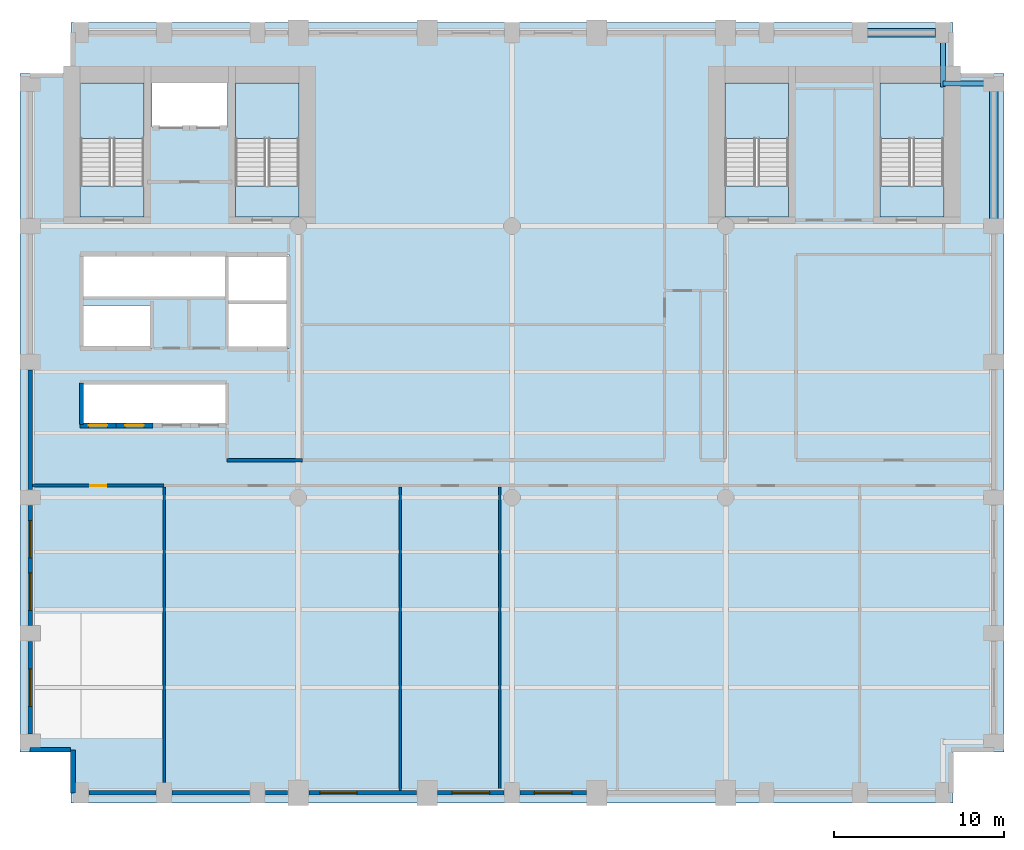
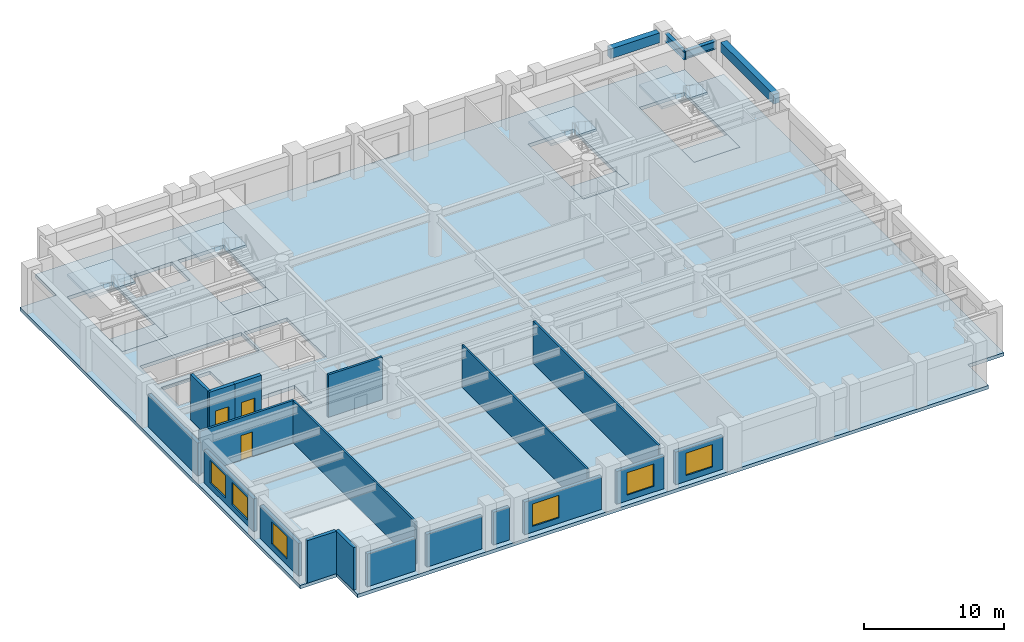
# One storey, part 2 of 9: 19 walls, 9 slabs, 6 windows, 4 beams, 3 doors, 9 openings, 4 elements without a shape of their own.
"""IFC4 building model written with IfcOpenShell, lengths in metres."""

from ifc_helpers import new_model, si_unit, direction, frame, frame_2d, origin, origin_2d, place, context, subcontext, project, spatial, polyline, rectangle, i_section, outline, extrude, material, layer, layer_set, material_profile, profile_set, type_object, element, fill, aggregate, save


model = new_model("IFC4")

# Units and contexts
model_context = context("Model", 3, precision=1e-05, world=origin(), true_north=direction((0.0, 1.0)))
body_context = subcontext(model_context, "Body", "Model", "MODEL_VIEW")
ifc_project = project(units=[si_unit("LENGTHUNIT", "METRE"), si_unit("AREAUNIT", "SQUARE_METRE"), si_unit("VOLUMEUNIT", "CUBIC_METRE"), si_unit("PLANEANGLEUNIT", "RADIAN"), si_unit("MASSUNIT", "GRAM", prefix="KILO")], contexts=[model_context])

# Site, building, storey
site_placement = place(None, origin())
site = spatial("IfcSite", under=ifc_project, at=site_placement, CompositionType="ELEMENT")
building_placement = place(site_placement, origin())
building = spatial("IfcBuilding", under=site, at=building_placement, Name="Sulina Concourse Tower", CompositionType="ELEMENT")
storey_placement = place(building_placement, frame((0.0, 0.0, 66.60009765625)))
storey = spatial("IfcBuildingStorey", under=building, at=storey_placement, Name="L16", CompositionType="ELEMENT", Elevation=66.60009765625)

# Beams
ifc_material_1 = material(Name="Steel S355", Category="steel")
ifc_material_profile_1 = material_profile(ifc_material_1, i_section(OverallWidth=0.300048828125, OverallDepth=0.699951171875, WebThickness=0.01708984375, FlangeThickness=0.031982421875, at=origin_2d()), Name="HE 700 B")
ifc_profile_set_1 = profile_set([ifc_material_profile_1], Name="Steel S355")
beam_type_1 = type_object("IfcBeamType", Name="Floor Primary Girder Zone 1 HE700B", PredefinedType="BEAM", material=ifc_profile_set_1)
beam_1_placement = place(storey_placement, frame((54.39990234375, 42.39990234375, 3.349853515625), z_axis=(1.0, 0.0, 0.0), x_axis=(0.0, 1.0, 0.0)))
element("IfcBeam", 1, at=beam_1_placement, inside=storey, type_object=beam_type_1, Name="TIE-NE-L16", PredefinedType="BEAM", context=body_context, shape_type="SweptSolid", body=[
    extrude(i_section(OverallWidth=0.300048828125, OverallDepth=0.699951171875, WebThickness=0.01708984375, FlangeThickness=0.031982421875, at=origin_2d()), origin(), (0.0, 0.0, 1.0), 2.570068359375),
])
beam_2_placement = place(storey_placement, frame((54.39990234375, 42.199951171875, 3.349853515625), z_axis=(0.0, 1.0, 0.0), x_axis=(-1.0, 0.0, 0.0)))
element("IfcBeam", 2, at=beam_2_placement, inside=storey, type_object=beam_type_1, Name="TIE-NEN-L16", PredefinedType="BEAM", context=body_context, shape_type="SweptSolid", body=[
    extrude(i_section(OverallWidth=0.300048828125, OverallDepth=0.699951171875, WebThickness=0.01708984375, FlangeThickness=0.031982421875, at=origin_2d()), origin(), (0.0, 0.0, 1.0), 2.77001953125),
])
ifc_material_2 = material(Name="Precast concrete C50/60", Category="concrete")
ifc_material_profile_2 = material_profile(ifc_material_2, rectangle(XDim=0.5, YDim=0.85009765625, at=origin_2d()), Name="RC 500x850")
ifc_profile_set_2 = profile_set([ifc_material_profile_2], Name="Precast concrete C50/60")
beam_type_2 = type_object("IfcBeamType", Name="Lower Precast Spandrel Edge Beam 500x850", PredefinedType="BEAM", material=ifc_profile_set_2)
beam_3_placement = place(storey_placement, frame((49.929931640625, 45.39990234375, 3.27490234375), z_axis=(1.0, 0.0, 0.0), x_axis=(0.0, 1.0, 0.0)))
element("IfcBeam", 3, at=beam_3_placement, inside=storey, type_object=beam_type_2, Name="SP-N10-L16", PredefinedType="BEAM", context=body_context, shape_type="SweptSolid", body=[
    extrude(rectangle(XDim=0.5, YDim=0.85009765625, at=origin_2d()), origin(), (0.0, 0.0, 1.0), 4.0400390625),
])
beam_4_placement = place(storey_placement, frame((57.39990234375, 34.429931640625, 3.27490234375), z_axis=(0.0, 1.0, 0.0), x_axis=(-1.0, 0.0, 0.0)))
element("IfcBeam", 4, at=beam_4_placement, inside=storey, type_object=beam_type_2, Name="SP-E5-L16", PredefinedType="BEAM", context=body_context, shape_type="SweptSolid", body=[
    extrude(rectangle(XDim=0.5, YDim=0.85009765625, at=origin_2d()), origin(), (0.0, 0.0, 1.0), 7.5400390625),
])

# Slabs
ifc_material_3 = material(Name="Concrete C50/60", Category="concrete")
ifc_layer_1 = layer(ifc_material_3, 0.300048828125)
ifc_layer_set_1 = layer_set([ifc_layer_1], Name="Concrete C50/60")
slab_type_1 = type_object("IfcSlabType", Name="Low-Rise Composite Floor Slab 300mm", PredefinedType="FLOOR", material=ifc_layer_set_1)
slab_1_placement = place(storey_placement, frame((0.0, 0.0, -0.300048828125)))
element("IfcSlab", 5, at=slab_1_placement, inside=storey, type_object=slab_type_1, Name="L16 structural floor slab", PredefinedType="FLOOR", context=body_context, shape_type="SweptSolid", body=[
    extrude(outline(polyline([(3.0, 0.0), (55.0, 0.0), (55.0, 3.0), (58.0, 3.0), (58.0, 43.0), (55.0, 43.0), (55.0, 46.0), (3.0, 46.0), (3.0, 43.0), (0.0, 43.0), (0.0, 3.0), (3.0, 3.0), (3.0, 0.0)]), holes=[polyline([(7.31005859375, 34.550048828125), (7.31005859375, 42.429931640625), (3.550048828125, 42.429931640625), (3.550048828125, 34.550048828125), (7.31005859375, 34.550048828125)]), polyline([(16.449951171875, 34.550048828125), (16.449951171875, 42.429931640625), (12.68994140625, 42.429931640625), (12.68994140625, 34.550048828125), (16.449951171875, 34.550048828125)]), polyline([(45.31005859375, 34.550048828125), (45.31005859375, 42.429931640625), (41.550048828125, 42.429931640625), (41.550048828125, 34.550048828125), (45.31005859375, 34.550048828125)]), polyline([(54.449951171875, 34.550048828125), (54.449951171875, 42.429931640625), (50.68994140625, 42.429931640625), (50.68994140625, 34.550048828125), (54.449951171875, 34.550048828125)]), polyline([(7.780029296875, 39.830078125), (12.219970703125, 39.830078125), (12.219970703125, 42.449951171875), (7.780029296875, 42.449951171875), (7.780029296875, 39.830078125)]), polyline([(3.739990234375, 26.780029296875), (7.77001953125, 26.780029296875), (7.77001953125, 29.320068359375), (3.739990234375, 29.320068359375), (3.739990234375, 26.780029296875)]), polyline([(3.739990234375, 29.780029296875), (12.10009765625, 29.780029296875), (12.10009765625, 32.3701171875), (3.739990234375, 32.3701171875), (3.739990234375, 29.780029296875)]), polyline([(3.739990234375, 22.280029296875), (12.10009765625, 22.280029296875), (12.10009765625, 24.77001953125), (3.739990234375, 24.77001953125), (3.739990234375, 22.280029296875)]), polyline([(12.280029296875, 26.780029296875), (15.85009765625, 26.780029296875), (15.85009765625, 32.320068359375), (12.280029296875, 32.320068359375), (12.280029296875, 26.780029296875)])]), origin(), (0.0, 0.0, 1.0), 0.300048828125),
])
ifc_material_4 = material(Name="Concrete C50/60", Category="concrete")
ifc_layer_2 = layer(ifc_material_4, 0.199951171875)
ifc_layer_set_2 = layer_set([ifc_layer_2], Name="Concrete C50/60")
slab_type_2 = type_object("IfcSlabType", Name="Primary Core Stair Landing Slab 200mm", PredefinedType="LANDING", material=ifc_layer_set_2)
slab_2_placement = place(storey_placement, frame((0.0, 0.0, -0.2001953125)))
element("IfcSlab", 6, at=slab_2_placement, inside=storey, type_object=slab_type_2, Name="L16 ST-1 floor landing slab", PredefinedType="LANDING", context=body_context, shape_type="SweptSolid", body=[
    extrude(outline(polyline([(7.31005859375, 34.550048828125), (7.31005859375, 36.375), (3.550048828125, 36.375), (3.550048828125, 34.550048828125), (7.31005859375, 34.550048828125)])), origin(), (0.0, 0.0, 1.0), 0.2001953125),
])
slab_3_placement = place(storey_placement, frame((0.0, 0.0, -0.2001953125)))
element("IfcSlab", 7, at=slab_3_placement, inside=storey, type_object=slab_type_2, Name="L16 ST-2 floor landing slab", PredefinedType="LANDING", context=body_context, shape_type="SweptSolid", body=[
    extrude(outline(polyline([(16.449951171875, 34.550048828125), (16.449951171875, 36.375), (12.68994140625, 36.375), (12.68994140625, 34.550048828125), (16.449951171875, 34.550048828125)])), origin(), (0.0, 0.0, 1.0), 0.2001953125),
])
slab_4_placement = place(storey_placement, frame((0.0, 0.0, -0.2001953125)))
element("IfcSlab", 8, at=slab_4_placement, inside=storey, type_object=slab_type_2, Name="L16 ST-3 floor landing slab", PredefinedType="LANDING", context=body_context, shape_type="SweptSolid", body=[
    extrude(outline(polyline([(45.31005859375, 34.550048828125), (45.31005859375, 36.375), (41.550048828125, 36.375), (41.550048828125, 34.550048828125), (45.31005859375, 34.550048828125)])), origin(), (0.0, 0.0, 1.0), 0.2001953125),
])
slab_5_placement = place(storey_placement, frame((0.0, 0.0, -0.2001953125)))
element("IfcSlab", 9, at=slab_5_placement, inside=storey, type_object=slab_type_2, Name="L16 ST-4 floor landing slab", PredefinedType="LANDING", context=body_context, shape_type="SweptSolid", body=[
    extrude(outline(polyline([(54.449951171875, 34.550048828125), (54.449951171875, 36.375), (50.68994140625, 36.375), (50.68994140625, 34.550048828125), (54.449951171875, 34.550048828125)])), origin(), (0.0, 0.0, 1.0), 0.2001953125),
])

# Stair, slab
ifc_material_5 = material(Name="Concrete C50/60", Category="concrete")
stair_type_1 = type_object("IfcStairType", Name="Primary Core Dog-Leg Exit Stair 1800mm", PredefinedType="HALF_TURN_STAIR", material=ifc_material_5)
stair_1_placement = place(storey_placement, origin())
stair_1 = element("IfcStair", 10, at=stair_1_placement, inside=storey, type_object=stair_type_1, Name="L16 ST-1", PredefinedType="HALF_TURN_STAIR")
slab_6_placement = place(storey_placement, frame((0.0, 0.0, 1.7998046875)))
slab_6 = element("IfcSlab", 11, at=slab_6_placement, type_object=slab_type_2, Name="ST-1 landing 1", PredefinedType="LANDING", context=body_context, shape_type="SweptSolid", body=[
    extrude(outline(polyline([(7.304931640625, 39.175048828125), (7.304931640625, 42.425048828125), (3.554931640625, 42.425048828125), (3.554931640625, 39.175048828125), (7.304931640625, 39.175048828125)])), origin(), (0.0, 0.0, 1.0), 0.2001953125),
])
aggregate(stair_1, [slab_6])

stair_2_placement = place(storey_placement, origin())
stair_2 = element("IfcStair", 12, at=stair_2_placement, inside=storey, type_object=stair_type_1, Name="L16 ST-2", PredefinedType="HALF_TURN_STAIR")
slab_7_placement = place(storey_placement, frame((0.0, 0.0, 1.7998046875)))
slab_7 = element("IfcSlab", 13, at=slab_7_placement, type_object=slab_type_2, Name="ST-2 landing 1", PredefinedType="LANDING", context=body_context, shape_type="SweptSolid", body=[
    extrude(outline(polyline([(16.445068359375, 39.175048828125), (16.445068359375, 42.425048828125), (12.695068359375, 42.425048828125), (12.695068359375, 39.175048828125), (16.445068359375, 39.175048828125)])), origin(), (0.0, 0.0, 1.0), 0.2001953125),
])
aggregate(stair_2, [slab_7])

ifc_material_6 = material(Name="Concrete C50/60", Category="concrete")
stair_type_2 = type_object("IfcStairType", Name="Portal & Podium Core Exit Stair 1820mm", PredefinedType="HALF_TURN_STAIR", material=ifc_material_6)
stair_3_placement = place(storey_placement, origin())
stair_3 = element("IfcStair", 14, at=stair_3_placement, inside=storey, type_object=stair_type_2, Name="L16 ST-3", PredefinedType="HALF_TURN_STAIR")
slab_8_placement = place(storey_placement, frame((0.0, 0.0, 1.7998046875)))
slab_8 = element("IfcSlab", 15, at=slab_8_placement, type_object=slab_type_2, Name="ST-3 landing 1", PredefinedType="LANDING", context=body_context, shape_type="SweptSolid", body=[
    extrude(outline(polyline([(45.304931640625, 39.175048828125), (45.304931640625, 42.425048828125), (41.554931640625, 42.425048828125), (41.554931640625, 39.175048828125), (45.304931640625, 39.175048828125)])), origin(), (0.0, 0.0, 1.0), 0.2001953125),
])
aggregate(stair_3, [slab_8])

stair_4_placement = place(storey_placement, origin())
stair_4 = element("IfcStair", 16, at=stair_4_placement, inside=storey, type_object=stair_type_2, Name="L16 ST-4", PredefinedType="HALF_TURN_STAIR")
slab_9_placement = place(storey_placement, frame((0.0, 0.0, 1.7998046875)))
slab_9 = element("IfcSlab", 17, at=slab_9_placement, type_object=slab_type_2, Name="ST-4 landing 1", PredefinedType="LANDING", context=body_context, shape_type="SweptSolid", body=[
    extrude(outline(polyline([(54.445068359375, 39.175048828125), (54.445068359375, 42.425048828125), (50.695068359375, 42.425048828125), (50.695068359375, 39.175048828125), (54.445068359375, 39.175048828125)])), origin(), (0.0, 0.0, 1.0), 0.2001953125),
])
aggregate(stair_4, [slab_9])

# Wall
ifc_material_7 = material(Name="Concrete C50/60", Category="concrete")
ifc_layer_3 = layer(ifc_material_7, 0.219970703125)
ifc_layer_set_3 = layer_set([ifc_layer_3], Name="Concrete C50/60")
wall_type_1 = type_object("IfcWallType", Name="Core Lift Hoistway Divider Wall 220mm", PredefinedType="SOLIDWALL", material=ifc_layer_set_3)
wall_1_placement = place(storey_placement, frame((3.6298828125, 22.300048828125, 0.0), z_axis=(0.0, 0.0, 1.0), x_axis=(0.0, 1.0, 0.0)))
element("IfcWall", 18, at=wall_1_placement, inside=storey, type_object=wall_type_1, Name="L16 shaft divider wall HW-LP1-W", PredefinedType="SOLIDWALL", context=body_context, shape_type="SweptSolid", body=[
    extrude(rectangle(XDim=2.449951171875, YDim=0.219970703125, at=frame_2d((1.22509765625, 0.0))), origin(), (0.0, 0.0, 1.0), 4.0),
])

# Wall, opening, door
ifc_material_8 = material(Name="Concrete C50/60", Category="concrete")
ifc_layer_4 = layer(ifc_material_8, 0.300048828125)
ifc_layer_set_4 = layer_set([ifc_layer_4], Name="Concrete C50/60")
wall_type_2 = type_object("IfcWallType", Name="Core Lift Hoistway Wall 300mm", PredefinedType="SOLIDWALL", material=ifc_layer_set_4)
wall_2_placement = place(storey_placement, frame((5.64990234375, 22.25, 0.0), z_axis=(0.0, 0.0, 1.0), x_axis=(-1.0, 0.0, 0.0)))
wall_2 = element("IfcWall", 19, at=wall_2_placement, inside=storey, type_object=wall_type_2, Name="L16 hoistway enclosure wall LP-01", PredefinedType="SOLIDWALL", context=body_context, shape_type="SweptSolid", body=[
    extrude(rectangle(XDim=2.099853515625, YDim=0.300048828125, at=frame_2d((1.0498046875, 0.0))), origin(), (0.0, 0.0, 1.0), 4.0),
])
opening_1_placement = place(wall_2_placement, frame((0.5, 0.0, 0.0)))
opening_1 = element("IfcOpeningElement", 20, at=opening_1_placement, cuts=wall_2, Name="Opening LD-01", PredefinedType="OPENING", context=body_context, shape_type="SweptSolid", body=[
    extrude(rectangle(XDim=1.10009765625, YDim=2.199951171875, at=frame_2d((0.550048828125, 1.10009765625))), frame((0.0, 0.159912109375, 0.0), z_axis=(0.0, -1.0, 0.0), x_axis=(1.0, 0.0, 0.0)), (0.0, 0.0, 1.0), 0.320068359375),
])
ifc_material_9 = material(Name="Stainless steel lift landing door", Category="steel")
ifc_layer_5 = layer(ifc_material_9, 0.050048828125)
ifc_layer_set_5 = layer_set([ifc_layer_5], Name="Stainless steel lift landing door")
door_type_1 = type_object("IfcDoorType", Name="Passenger Lift Sliding Landing Door 1100x2200", OperationType="SLIDING_TO_LEFT", PredefinedType="DOOR", material=ifc_layer_set_5)
door_1_placement = place(opening_1_placement, origin())
door_1 = element("IfcDoor", 21, at=door_1_placement, inside=storey, type_object=door_type_1, Name="L16 lift landing sliding door LP-01", OperationType="SLIDING_TO_LEFT", OverallHeight=2.199951171875, OverallWidth=1.10009765625, PredefinedType="DOOR", context=body_context, shape_type="SweptSolid", body=[
    extrude(rectangle(XDim=1.10009765625, YDim=2.199951171875, at=frame_2d((0.550048828125, 1.10009765625))), frame((0.0, 0.02490234375, 0.0), z_axis=(0.0, -1.0, 0.0), x_axis=(1.0, 0.0, 0.0)), (0.0, 0.0, 1.0), 0.050048828125),
])
fill(opening_1, door_1)

wall_3_placement = place(storey_placement, frame((7.85009765625, 22.25, 0.0), z_axis=(0.0, 0.0, 1.0), x_axis=(-1.0, 0.0, 0.0)))
wall_3 = element("IfcWall", 22, at=wall_3_placement, inside=storey, type_object=wall_type_2, Name="L16 hoistway enclosure wall LP-02", PredefinedType="SOLIDWALL", context=body_context, shape_type="SweptSolid", body=[
    extrude(rectangle(XDim=2.2001953125, YDim=0.300048828125, at=frame_2d((1.10009765625, 0.0))), origin(), (0.0, 0.0, 1.0), 4.0),
])
opening_2_placement = place(wall_3_placement, frame((0.550048828125, 0.0, 0.0)))
opening_2 = element("IfcOpeningElement", 23, at=opening_2_placement, cuts=wall_3, Name="Opening LD-01", PredefinedType="OPENING", context=body_context, shape_type="SweptSolid", body=[
    extrude(rectangle(XDim=1.10009765625, YDim=2.199951171875, at=frame_2d((0.550048828125, 1.10009765625))), frame((0.0, 0.159912109375, 0.0), z_axis=(0.0, -1.0, 0.0), x_axis=(1.0, 0.0, 0.0)), (0.0, 0.0, 1.0), 0.320068359375),
])
door_2_placement = place(opening_2_placement, origin())
door_2 = element("IfcDoor", 24, at=door_2_placement, inside=storey, type_object=door_type_1, Name="L16 lift landing sliding door LP-02", OperationType="SLIDING_TO_RIGHT", OverallHeight=2.199951171875, OverallWidth=1.10009765625, PredefinedType="DOOR", context=body_context, shape_type="SweptSolid", body=[
    extrude(rectangle(XDim=1.10009765625, YDim=2.199951171875, at=frame_2d((0.550048828125, 1.10009765625))), frame((0.0, 0.02490234375, 0.0), z_axis=(0.0, -1.0, 0.0), x_axis=(1.0, 0.0, 0.0)), (0.0, 0.0, 1.0), 0.050048828125),
])
fill(opening_2, door_2)

# Walls
ifc_material_10 = material(Name="Gypsum board on steel stud", Category="steel")
ifc_layer_6 = layer(ifc_material_10, 0.14990234375)
ifc_layer_set_6 = layer_set([ifc_layer_6], Name="Gypsum board on steel stud")
wall_type_3 = type_object("IfcWallType", Name="Inter-Tenancy Acoustic Partition 150mm", PredefinedType="PARTITIONING", material=ifc_layer_set_6)
wall_4_placement = place(storey_placement, frame((8.5, 1.199951171875, 0.0), z_axis=(0.0, 0.0, 1.0), x_axis=(0.0, 1.0, 0.0)))
element("IfcWall", 25, at=wall_4_placement, inside=storey, type_object=wall_type_3, Name="L16 interior partition 021", PredefinedType="PARTITIONING", context=body_context, shape_type="SweptSolid", body=[
    extrude(rectangle(XDim=17.41015625, YDim=0.14990234375, at=frame_2d((8.705078125, 0.0))), origin(), (0.0, 0.0, 1.0), 3.699951171875),
])
for number, where, z_axis, x_axis, name in (
    (26, (22.39990234375, 0.739990234375, 0.0), (0.0, 0.0, 1.0), (0.0, 1.0, 0.0), "L16 interior partition 028"),
    (27, (28.2900390625, 0.739990234375, 0.0), (0.0, 0.0, 1.0), (0.0, 1.0, 0.0), "L16 interior partition 029"),
):
    element("IfcWall", number, at=place(storey_placement, frame(where, z_axis=z_axis, x_axis=x_axis)), inside=storey, type_object=wall_type_3, Name=name, PredefinedType="PARTITIONING", context=body_context, shape_type="SweptSolid", body=[
        extrude(rectangle(XDim=17.8701171875, YDim=0.14990234375, at=frame_2d((8.93505859375, 0.0))), origin(), (0.0, 0.0, 1.0), 3.699951171875),
    ])

# Wall, opening, door
ifc_material_11 = material(Name="Gypsum board on steel stud", Category="steel")
ifc_layer_7 = layer(ifc_material_11, 0.179931640625)
ifc_layer_set_7 = layer_set([ifc_layer_7], Name="Gypsum board on steel stud")
wall_type_4 = type_object("IfcWallType", Name="Protected Corridor & Riser Partition 180mm", PredefinedType="PARTITIONING", material=ifc_layer_set_7)
wall_5_placement = place(storey_placement, frame((0.739990234375, 18.699951171875, 0.0), z_axis=(0.0, 0.0, 1.0), x_axis=(1.0, 0.0, 0.0)))
wall_5 = element("IfcWall", 28, at=wall_5_placement, inside=storey, type_object=wall_type_4, Name="L16 interior partition 001", PredefinedType="PARTITIONING", context=body_context, shape_type="SweptSolid", body=[
    extrude(rectangle(XDim=7.760009765625, YDim=0.179931640625, at=frame_2d((3.8798828125, 0.0))), origin(), (0.0, 0.0, 1.0), 3.699951171875),
])
opening_3_placement = place(wall_5_placement, frame((3.405029296875, 0.0, 0.0)))
opening_3 = element("IfcOpeningElement", 29, at=opening_3_placement, cuts=wall_5, Name="Opening DR-19", PredefinedType="OPENING", context=body_context, shape_type="SweptSolid", body=[
    extrude(rectangle(XDim=0.949951171875, YDim=2.14990234375, at=frame_2d((0.47509765625, 1.074951171875))), frame((0.0, 0.099853515625, 0.0), z_axis=(0.0, -1.0, 0.0), x_axis=(1.0, 0.0, 0.0)), (0.0, 0.0, 1.0), 0.199951171875),
])
ifc_material_12 = material(Name="Oak-veneered acoustic timber leaf", Category="wood")
ifc_layer_8 = layer(ifc_material_12, 0.050048828125)
ifc_layer_set_8 = layer_set([ifc_layer_8], Name="Oak-veneered acoustic timber leaf")
door_type_2 = type_object("IfcDoorType", Name="Cellular Office & Meeting Door 950x2150", OperationType="NOTDEFINED", PredefinedType="DOOR", material=ifc_layer_set_8)
door_3_placement = place(opening_3_placement, origin())
door_3 = element("IfcDoor", 30, at=door_3_placement, inside=storey, type_object=door_type_2, Name="L16 interior door L16-S01", OperationType="SINGLE_SWING_RIGHT", OverallHeight=2.14990234375, OverallWidth=0.949951171875, PredefinedType="DOOR", context=body_context, shape_type="SweptSolid", body=[
    extrude(rectangle(XDim=0.949951171875, YDim=2.14990234375, at=frame_2d((0.47509765625, 1.074951171875))), frame((0.0, 0.02490234375, 0.0), z_axis=(0.0, -1.0, 0.0), x_axis=(1.0, 0.0, 0.0)), (0.0, 0.0, 1.0), 0.050048828125),
])
fill(opening_3, door_3)

# Walls
wall_6_placement = place(storey_placement, frame((12.199951171875, 20.199951171875, 0.0), z_axis=(0.0, 0.0, 1.0), x_axis=(1.0, 0.0, 0.0)))
element("IfcWall", 31, at=wall_6_placement, inside=storey, type_object=wall_type_4, Name="L16 interior partition 007", PredefinedType="PARTITIONING", context=body_context, shape_type="SweptSolid", body=[
    extrude(rectangle(XDim=4.449951171875, YDim=0.179931640625, at=frame_2d((2.22509765625, 0.0))), origin(), (0.0, 0.0, 1.0), 3.699951171875),
])
ifc_material_13 = material(Name="Precast concrete C50/60", Category="concrete")
ifc_layer_9 = layer(ifc_material_13, 0.280029296875)
ifc_layer_set_9 = layer_set([ifc_layer_9], Name="Precast concrete C50/60")
wall_type_5 = type_object("IfcWallType", Name="Typical Precast Masonry-Frame Facade Wall 280mm", PredefinedType="SOLIDWALL", material=ifc_layer_set_9)
wall_7_placement = place(storey_placement, frame((8.030029296875, 0.60009765625, 0.0), z_axis=(0.0, 0.0, 1.0), x_axis=(-1.0, 0.0, 0.0)))
element("IfcWall", 32, at=wall_7_placement, inside=storey, type_object=wall_type_5, Name="L16 exterior precast wall S1", PredefinedType="SOLIDWALL", context=body_context, shape_type="SweptSolid", body=[
    extrude(rectangle(XDim=3.9599609375, YDim=0.280029296875, at=frame_2d((1.97998046875, 0.0))), origin(), (0.0, 0.0, 1.0), 2.849853515625),
])
wall_8_placement = place(storey_placement, frame((13.530029296875, 0.60009765625, 0.0), z_axis=(0.0, 0.0, 1.0), x_axis=(-1.0, 0.0, 0.0)))
element("IfcWall", 33, at=wall_8_placement, inside=storey, type_object=wall_type_5, Name="L16 exterior precast wall S2", PredefinedType="SOLIDWALL", context=body_context, shape_type="SweptSolid", body=[
    extrude(rectangle(XDim=4.56005859375, YDim=0.280029296875, at=frame_2d((2.280029296875, 0.0))), origin(), (0.0, 0.0, 1.0), 2.849853515625),
])
wall_9_placement = place(storey_placement, frame((15.780029296875, 0.60009765625, 0.0), z_axis=(0.0, 0.0, 1.0), x_axis=(-1.0, 0.0, 0.0)))
element("IfcWall", 34, at=wall_9_placement, inside=storey, type_object=wall_type_5, Name="L16 exterior precast wall S3", PredefinedType="SOLIDWALL", context=body_context, shape_type="SweptSolid", body=[
    extrude(rectangle(XDim=1.31005859375, YDim=0.280029296875, at=frame_2d((0.655029296875, 0.0))), origin(), (0.0, 0.0, 1.0), 2.849853515625),
])

# Wall, opening, window
wall_10_placement = place(storey_placement, frame((23.3798828125, 0.60009765625, 0.0), z_axis=(0.0, 0.0, 1.0), x_axis=(-1.0, 0.0, 0.0)))
wall_10 = element("IfcWall", 35, at=wall_10_placement, inside=storey, type_object=wall_type_5, Name="L16 exterior precast wall S4", PredefinedType="SOLIDWALL", context=body_context, shape_type="SweptSolid", body=[
    extrude(rectangle(XDim=6.35986328125, YDim=0.280029296875, at=frame_2d((3.179931640625, 0.0))), origin(), (0.0, 0.0, 1.0), 2.849853515625),
])
opening_4_placement = place(wall_10_placement, frame((3.506591796875, 0.0, 0.5)))
opening_4 = element("IfcOpeningElement", 36, at=opening_4_placement, cuts=wall_10, Name="Opening WN-76", PredefinedType="OPENING", context=body_context, shape_type="SweptSolid", body=[
    extrude(rectangle(XDim=2.199951171875, YDim=1.949951171875, at=frame_2d((1.10009765625, 0.97509765625))), frame((0.0, 0.14990234375, 0.0), z_axis=(0.0, -1.0, 0.0), x_axis=(1.0, 0.0, 0.0)), (0.0, 0.0, 1.0), 0.300048828125),
])
ifc_material_14 = material(Name="Low-E solar double glazing in bronze aluminium", Category="aluminium")
window_type = type_object("IfcWindowType", Name="Recessed Spandrel Window 2200x1950", PartitioningType="DOUBLE_PANEL_VERTICAL", PredefinedType="WINDOW", material=ifc_material_14)
window_1_placement = place(opening_4_placement, origin())
window_1 = element("IfcWindow", 37, at=window_1_placement, inside=storey, type_object=window_type, Name="L16 punched window S4-1", OverallHeight=1.949951171875, OverallWidth=2.199951171875, PartitioningType="SINGLE_PANEL", PredefinedType="WINDOW", context=body_context, shape_type="SweptSolid", body=[
    extrude(rectangle(XDim=2.199951171875, YDim=1.949951171875, at=frame_2d((1.10009765625, 0.97509765625))), frame((0.0, 0.030029296875, 0.0), z_axis=(0.0, -1.0, 0.0), x_axis=(1.0, 0.0, 0.0)), (0.0, 0.0, 1.0), 0.06005859375),
])
fill(opening_4, window_1)

wall_11_placement = place(storey_placement, frame((28.530029296875, 0.60009765625, 0.0), z_axis=(0.0, 0.0, 1.0), x_axis=(-1.0, 0.0, 0.0)))
wall_11 = element("IfcWall", 38, at=wall_11_placement, inside=storey, type_object=wall_type_5, Name="L16 exterior precast wall S5", PredefinedType="SOLIDWALL", context=body_context, shape_type="SweptSolid", body=[
    extrude(rectangle(XDim=3.909912109375, YDim=0.280029296875, at=frame_2d((1.955078125, 0.0))), origin(), (0.0, 0.0, 1.0), 2.849853515625),
])
opening_5_placement = place(wall_11_placement, frame((0.85498046875, 0.0, 0.5)))
opening_5 = element("IfcOpeningElement", 39, at=opening_5_placement, cuts=wall_11, Name="Opening WN-76", PredefinedType="OPENING", context=body_context, shape_type="SweptSolid", body=[
    extrude(rectangle(XDim=2.199951171875, YDim=1.949951171875, at=frame_2d((1.10009765625, 0.97509765625))), frame((0.0, 0.14990234375, 0.0), z_axis=(0.0, -1.0, 0.0), x_axis=(1.0, 0.0, 0.0)), (0.0, 0.0, 1.0), 0.300048828125),
])
window_2_placement = place(opening_5_placement, origin())
window_2 = element("IfcWindow", 40, at=window_2_placement, inside=storey, type_object=window_type, Name="L16 punched window S5-1", OverallHeight=1.949951171875, OverallWidth=2.199951171875, PartitioningType="SINGLE_PANEL", PredefinedType="WINDOW", context=body_context, shape_type="SweptSolid", body=[
    extrude(rectangle(XDim=2.199951171875, YDim=1.949951171875, at=frame_2d((1.10009765625, 0.97509765625))), frame((0.0, 0.030029296875, 0.0), z_axis=(0.0, -1.0, 0.0), x_axis=(1.0, 0.0, 0.0)), (0.0, 0.0, 1.0), 0.06005859375),
])
fill(opening_5, window_2)

wall_12_placement = place(storey_placement, frame((33.3798828125, 0.60009765625, 0.0), z_axis=(0.0, 0.0, 1.0), x_axis=(-1.0, 0.0, 0.0)))
wall_12 = element("IfcWall", 41, at=wall_12_placement, inside=storey, type_object=wall_type_5, Name="L16 exterior precast wall S6", PredefinedType="SOLIDWALL", context=body_context, shape_type="SweptSolid", body=[
    extrude(rectangle(XDim=3.909912109375, YDim=0.280029296875, at=frame_2d((1.955078125, 0.0))), origin(), (0.0, 0.0, 1.0), 2.849853515625),
])
opening_6_placement = place(wall_12_placement, frame((0.85498046875, 0.0, 0.5)))
opening_6 = element("IfcOpeningElement", 42, at=opening_6_placement, cuts=wall_12, Name="Opening WN-76", PredefinedType="OPENING", context=body_context, shape_type="SweptSolid", body=[
    extrude(rectangle(XDim=2.199951171875, YDim=1.949951171875, at=frame_2d((1.10009765625, 0.97509765625))), frame((0.0, 0.14990234375, 0.0), z_axis=(0.0, -1.0, 0.0), x_axis=(1.0, 0.0, 0.0)), (0.0, 0.0, 1.0), 0.300048828125),
])
window_3_placement = place(opening_6_placement, origin())
window_3 = element("IfcWindow", 43, at=window_3_placement, inside=storey, type_object=window_type, Name="L16 punched window S6-1", OverallHeight=1.949951171875, OverallWidth=2.199951171875, PartitioningType="SINGLE_PANEL", PredefinedType="WINDOW", context=body_context, shape_type="SweptSolid", body=[
    extrude(rectangle(XDim=2.199951171875, YDim=1.949951171875, at=frame_2d((1.10009765625, 0.97509765625))), frame((0.0, 0.030029296875, 0.0), z_axis=(0.0, -1.0, 0.0), x_axis=(1.0, 0.0, 0.0)), (0.0, 0.0, 1.0), 0.06005859375),
])
fill(opening_6, window_3)

wall_13_placement = place(storey_placement, frame((0.60009765625, 4.070068359375, 0.0), z_axis=(0.0, 0.0, 1.0), x_axis=(0.0, 1.0, 0.0)))
wall_13 = element("IfcWall", 44, at=wall_13_placement, inside=storey, type_object=wall_type_5, Name="L16 exterior precast wall W1", PredefinedType="SOLIDWALL", context=body_context, shape_type="SweptSolid", body=[
    extrude(rectangle(XDim=5.4599609375, YDim=0.280029296875, at=frame_2d((2.72998046875, 0.0))), origin(), (0.0, 0.0, 1.0), 2.849853515625),
])
opening_7_placement = place(wall_13_placement, frame((1.6298828125, 0.0, 0.5)))
opening_7 = element("IfcOpeningElement", 45, at=opening_7_placement, cuts=wall_13, Name="Opening WN-76", PredefinedType="OPENING", context=body_context, shape_type="SweptSolid", body=[
    extrude(rectangle(XDim=2.199951171875, YDim=1.949951171875, at=frame_2d((1.10009765625, 0.97509765625))), frame((0.0, 0.14990234375, 0.0), z_axis=(0.0, -1.0, 0.0), x_axis=(1.0, 0.0, 0.0)), (0.0, 0.0, 1.0), 0.300048828125),
])
window_4_placement = place(opening_7_placement, origin())
window_4 = element("IfcWindow", 46, at=window_4_placement, inside=storey, type_object=window_type, Name="L16 punched window W1-1", OverallHeight=1.949951171875, OverallWidth=2.199951171875, PartitioningType="SINGLE_PANEL", PredefinedType="WINDOW", context=body_context, shape_type="SweptSolid", body=[
    extrude(rectangle(XDim=2.199951171875, YDim=1.949951171875, at=frame_2d((1.10009765625, 0.97509765625))), frame((0.0, 0.030029296875, 0.0), z_axis=(0.0, -1.0, 0.0), x_axis=(1.0, 0.0, 0.0)), (0.0, 0.0, 1.0), 0.06005859375),
])
fill(opening_7, window_4)

# Wall, openings, windows
wall_14_placement = place(storey_placement, frame((0.60009765625, 10.469970703125, 0.0), z_axis=(0.0, 0.0, 1.0), x_axis=(0.0, 1.0, 0.0)))
wall_14 = element("IfcWall", 47, at=wall_14_placement, inside=storey, type_object=wall_type_5, Name="L16 exterior precast wall W2", PredefinedType="SOLIDWALL", context=body_context, shape_type="SweptSolid", body=[
    extrude(rectangle(XDim=7.06005859375, YDim=0.280029296875, at=frame_2d((3.530029296875, 0.0))), origin(), (0.0, 0.0, 1.0), 2.849853515625),
])
opening_8_placement = place(wall_14_placement, frame((0.88671875, 0.0, 0.5)))
opening_8 = element("IfcOpeningElement", 48, at=opening_8_placement, cuts=wall_14, Name="Opening WN-76", PredefinedType="OPENING", context=body_context, shape_type="SweptSolid", body=[
    extrude(rectangle(XDim=2.199951171875, YDim=1.949951171875, at=frame_2d((1.10009765625, 0.97509765625))), frame((0.0, 0.14990234375, 0.0), z_axis=(0.0, -1.0, 0.0), x_axis=(1.0, 0.0, 0.0)), (0.0, 0.0, 1.0), 0.300048828125),
])
opening_9_placement = place(wall_14_placement, frame((3.973388671875, 0.0, 0.5)))
opening_9 = element("IfcOpeningElement", 49, at=opening_9_placement, cuts=wall_14, Name="Opening WN-76", PredefinedType="OPENING", context=body_context, shape_type="SweptSolid", body=[
    extrude(rectangle(XDim=2.199951171875, YDim=1.949951171875, at=frame_2d((1.10009765625, 0.97509765625))), frame((0.0, 0.14990234375, 0.0), z_axis=(0.0, -1.0, 0.0), x_axis=(1.0, 0.0, 0.0)), (0.0, 0.0, 1.0), 0.300048828125),
])
window_5_placement = place(opening_8_placement, origin())
window_5 = element("IfcWindow", 50, at=window_5_placement, inside=storey, type_object=window_type, Name="L16 punched window W2-1", OverallHeight=1.949951171875, OverallWidth=2.199951171875, PartitioningType="SINGLE_PANEL", PredefinedType="WINDOW", context=body_context, shape_type="SweptSolid", body=[
    extrude(rectangle(XDim=2.199951171875, YDim=1.949951171875, at=frame_2d((1.10009765625, 0.97509765625))), frame((0.0, 0.030029296875, 0.0), z_axis=(0.0, -1.0, 0.0), x_axis=(1.0, 0.0, 0.0)), (0.0, 0.0, 1.0), 0.06005859375),
])
fill(opening_8, window_5)
window_6_placement = place(opening_9_placement, origin())
window_6 = element("IfcWindow", 51, at=window_6_placement, inside=storey, type_object=window_type, Name="L16 punched window W2-2", OverallHeight=1.949951171875, OverallWidth=2.199951171875, PartitioningType="SINGLE_PANEL", PredefinedType="WINDOW", context=body_context, shape_type="SweptSolid", body=[
    extrude(rectangle(XDim=2.199951171875, YDim=1.949951171875, at=frame_2d((1.10009765625, 0.97509765625))), frame((0.0, 0.030029296875, 0.0), z_axis=(0.0, -1.0, 0.0), x_axis=(1.0, 0.0, 0.0)), (0.0, 0.0, 1.0), 0.06005859375),
])
fill(opening_9, window_6)

# Walls
wall_15_placement = place(storey_placement, frame((0.60009765625, 18.469970703125, 0.0), z_axis=(0.0, 0.0, 1.0), x_axis=(0.0, 1.0, 0.0)))
element("IfcWall", 52, at=wall_15_placement, inside=storey, type_object=wall_type_5, Name="L16 exterior precast wall W3", PredefinedType="SOLIDWALL", context=body_context, shape_type="SweptSolid", body=[
    extrude(rectangle(XDim=7.06005859375, YDim=0.280029296875, at=frame_2d((3.530029296875, 0.0))), origin(), (0.0, 0.0, 1.0), 2.849853515625),
])
wall_16_placement = place(storey_placement, frame((3.1298828125, 0.60009765625, 0.0), z_axis=(0.0, 0.0, 1.0), x_axis=(0.0, 1.0, 0.0)))
element("IfcWall", 53, at=wall_16_placement, inside=storey, type_object=wall_type_5, Name="L16 exterior precast wall CSW1", PredefinedType="SOLIDWALL", context=body_context, shape_type="SweptSolid", body=[
    extrude(rectangle(XDim=2.52978515625, YDim=0.280029296875, at=frame_2d((1.264892578125, 0.0))), origin(), (0.0, 0.0, 1.0), 3.699951171875),
])
wall_17_placement = place(storey_placement, frame((2.985107421875, 3.1298828125, 0.0), z_axis=(0.0, 0.0, 1.0), x_axis=(-1.0, 0.0, 0.0)))
element("IfcWall", 54, at=wall_17_placement, inside=storey, type_object=wall_type_5, Name="L16 exterior precast wall CSW2", PredefinedType="SOLIDWALL", context=body_context, shape_type="SweptSolid", body=[
    extrude(rectangle(XDim=2.385009765625, YDim=0.280029296875, at=frame_2d((1.1923828125, 0.0))), origin(), (0.0, 0.0, 1.0), 3.699951171875),
])

save(model, "model.ifc")
